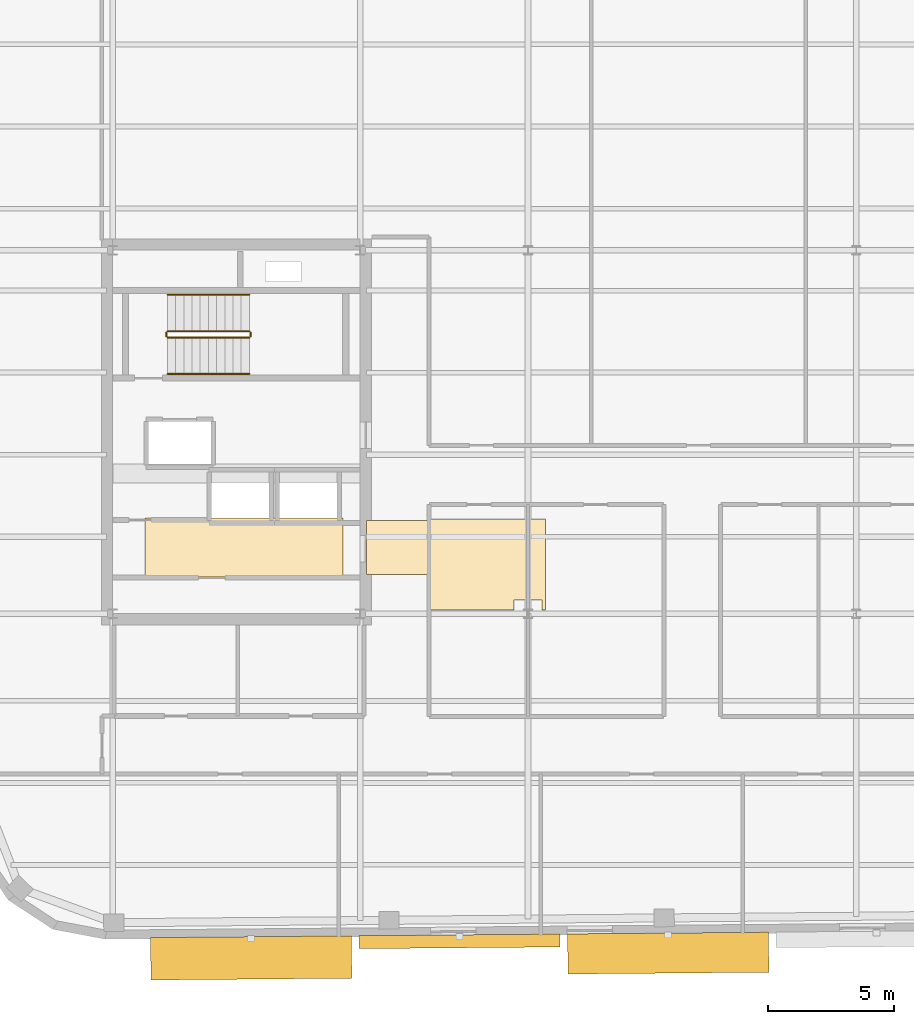
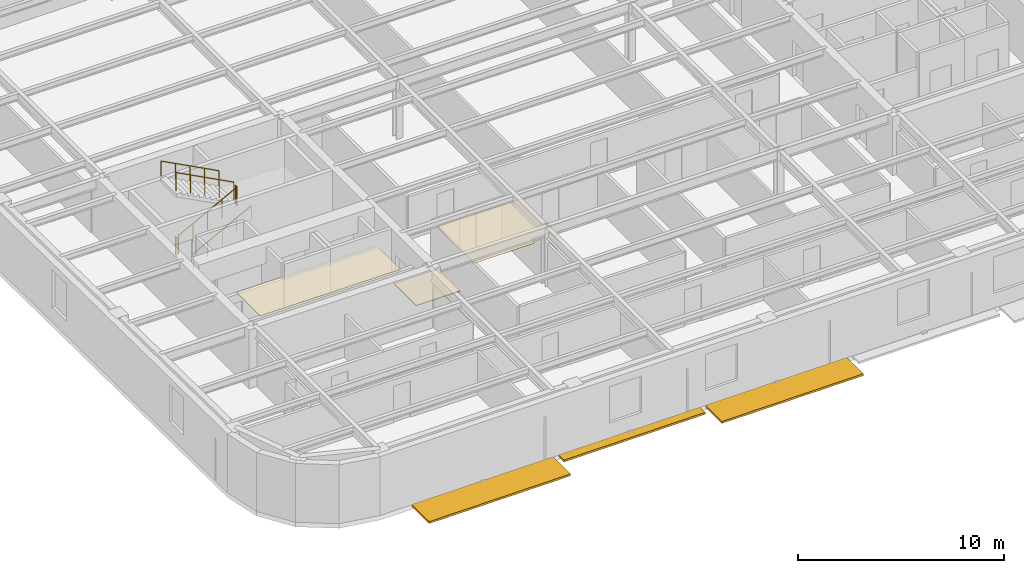
# One storey, part 11 of 13: 6 railings, 3 coverings, 3 shading devices.
"""IFC4 building model written with IfcOpenShell, lengths in metres."""

from ifc_helpers import new_model, si_unit, direction, frame, origin, origin_2d, place, context, subcontext, project, spatial, polyline, rectangle, circle, outline, extrude, material, layer, layer_set, type_object, element, save


model = new_model("IFC4")

# Units and contexts
model_context = context("Model", 3, precision=1e-05, world=origin(), true_north=direction((0.0, 1.0)))
body_context = subcontext(model_context, "Body", "Model", "MODEL_VIEW")
ifc_project = project(units=[si_unit("LENGTHUNIT", "METRE"), si_unit("AREAUNIT", "SQUARE_METRE"), si_unit("VOLUMEUNIT", "CUBIC_METRE"), si_unit("PLANEANGLEUNIT", "RADIAN"), si_unit("MASSUNIT", "GRAM", prefix="KILO")], contexts=[model_context])

# Site, building, storey
site_placement = place(None, origin())
site = spatial("IfcSite", under=ifc_project, at=site_placement, CompositionType="ELEMENT")
building_placement = place(site_placement, origin())
building = spatial("IfcBuilding", under=site, at=building_placement, Name="Kolvaren Arena Tower", CompositionType="ELEMENT")
storey_placement = place(building_placement, frame((0.0, 0.0, 286.14990234375)))
storey = spatial("IfcBuildingStorey", under=building, at=storey_placement, Name="L70", CompositionType="ELEMENT", Elevation=286.14990234375)

# Coverings
ifc_material_1 = material(Name="Mineral fibre acoustic ceiling tile", Category="gypsum")
ifc_layer_1 = layer(ifc_material_1, 0.02490234375)
ifc_layer_set_1 = layer_set([ifc_layer_1], Name="Mineral fibre acoustic ceiling tile")
covering_type_1 = type_object("IfcCoveringType", Name="CEIL-ACT-1", PredefinedType="CEILING", material=ifc_layer_set_1)
covering_1_placement = place(storey_placement, frame((0.0, 0.0, 2.52001953125)))
element("IfcCovering", 1, at=covering_1_placement, inside=storey, type_object=covering_type_1, Name="Suspended Ceiling (L70)", PredefinedType="CEILING", context=body_context, shape_type="SweptSolid", body=[
    extrude(outline(polyline([(27.050048828125, 19.60009765625), (27.050048828125, 23.199951171875), (31.699951171875, 23.199951171875), (31.699951171875, 19.60009765625), (31.550048828125, 19.60009765625), (31.550048828125, 20.0), (30.449951171875, 20.0), (30.449951171875, 19.60009765625), (27.050048828125, 19.60009765625)])), origin(), (0.0, 0.0, 1.0), 0.025146484375),
])
ifc_material_2 = material(Name="Moisture-resistant gypsum ceiling", Category="gypsum")
ifc_layer_2 = layer(ifc_material_2, 0.030029296875)
ifc_layer_set_2 = layer_set([ifc_layer_2], Name="Moisture-resistant gypsum ceiling")
covering_type_2 = type_object("IfcCoveringType", Name="CEIL-GYP-1", PredefinedType="CEILING", material=ifc_layer_set_2)
covering_2_placement = place(storey_placement, frame((0.0, 0.0, 2.52001953125)))
element("IfcCovering", 2, at=covering_2_placement, inside=storey, type_object=covering_type_2, Name="Suspended Ceiling (L70)", PredefinedType="CEILING", context=body_context, shape_type="SweptSolid", body=[
    extrude(outline(polyline([(15.820068359375, 20.89990234375), (15.820068359375, 23.239990234375), (23.679931640625, 23.239990234375), (23.679931640625, 20.89990234375), (15.820068359375, 20.89990234375)])), origin(), (0.0, 0.0, 1.0), 0.030029296875),
])
ifc_material_3 = material(Name="Raised access office floor finish", Category="aluminium")
ifc_layer_3 = layer(ifc_material_3, 0.044921875)
ifc_layer_set_3 = layer_set([ifc_layer_3], Name="Raised access office floor finish")
covering_type_3 = type_object("IfcCoveringType", Name="FLOR-RAF-1", PredefinedType="FLOORING", material=ifc_layer_set_3)
covering_3_placement = place(storey_placement, origin())
element("IfcCovering", 3, at=covering_3_placement, inside=storey, type_object=covering_type_3, Name="Floor Finish (L70)", PredefinedType="FLOORING", context=body_context, shape_type="SweptSolid", body=[
    extrude(outline(polyline([(24.60009765625, 21.0), (24.60009765625, 23.14990234375), (27.080078125, 23.14990234375), (27.080078125, 21.0), (24.60009765625, 21.0)])), origin(), (0.0, 0.0, 1.0), 0.045166015625),
])

# Railings
ifc_material_4 = material(Name="Painted galvanized steel", Category="steel")
railing_type_1 = type_object("IfcRailingType", Name="GUARD-ST-110", PredefinedType="GUARDRAIL", material=ifc_material_4)
railing_1_placement = place(storey_placement, frame((16.719970703125, 30.389892578125, 0.170654296875)))
element("IfcRailing", 4, at=railing_1_placement, inside=storey, type_object=railing_type_1, Name="L70 ST-W1 stair guard 1", PredefinedType="GUARDRAIL", context=body_context, shape_type="SweptSolid", body=[
    extrude(circle(Radius=0.02392578125, at=origin_2d()), frame((0.0, 0.0, 1.076171875), z_axis=(0.885020909582, 0.0, 0.465551274945), x_axis=(0.0, 1.0, 0.0)), (0.0, 0.0, 1.0), 3.660888671875),
    extrude(circle(Radius=0.02099609375, at=origin_2d()), origin(), (0.0, 0.0, 1.0), 1.052001953125),
    extrude(circle(Radius=0.02099609375, at=origin_2d()), frame((0.81005859375, 0.0, 0.426025390625)), (0.0, 0.0, 1.0), 1.052001953125),
    extrude(circle(Radius=0.02099609375, at=origin_2d()), frame((1.6201171875, 0.0, 0.85205078125)), (0.0, 0.0, 1.0), 1.052001953125),
    extrude(circle(Radius=0.02099609375, at=origin_2d()), frame((2.429931640625, 0.0, 1.2783203125)), (0.0, 0.0, 1.0), 1.052001953125),
    extrude(circle(Radius=0.02099609375, at=origin_2d()), frame((3.239990234375, 0.0, 1.704345703125)), (0.0, 0.0, 1.0), 1.052001953125),
])
railing_2_placement = place(storey_placement, frame((20.010009765625, 30.43994140625, 1.875)))
element("IfcRailing", 5, at=railing_2_placement, inside=storey, type_object=railing_type_1, Name="L70 ST-W1 stair guard 2", PredefinedType="GUARDRAIL", context=body_context, shape_type="SweptSolid", body=[
    extrude(circle(Radius=0.02392578125, at=origin_2d()), frame((0.0, 0.0, 1.076171875), z_axis=(0.0, 1.0, 0.0), x_axis=(-1.0, 0.0, 0.0)), (0.0, 0.0, 1.0), 0.150146484375),
    extrude(circle(Radius=0.02099609375, at=origin_2d()), origin(), (0.0, 0.0, 1.0), 1.052001953125),
    extrude(circle(Radius=0.02099609375, at=origin_2d()), frame((0.0, 0.150146484375, 0.0)), (0.0, 0.0, 1.0), 1.052001953125),
])
railing_3_placement = place(storey_placement, frame((19.9599609375, 30.639892578125, 2.045654296875)))
element("IfcRailing", 6, at=railing_3_placement, inside=storey, type_object=railing_type_1, Name="L70 ST-W1 stair guard 3", PredefinedType="GUARDRAIL", context=body_context, shape_type="SweptSolid", body=[
    extrude(circle(Radius=0.02392578125, at=origin_2d()), frame((0.0, 0.0, 1.076171875), z_axis=(-0.885020909582, 0.0, 0.465551274945), x_axis=(0.0, -1.0, 0.0)), (0.0, 0.0, 1.0), 3.660888671875),
    extrude(circle(Radius=0.02099609375, at=origin_2d()), origin(), (0.0, 0.0, 1.0), 1.052001953125),
    extrude(circle(Radius=0.02099609375, at=origin_2d()), frame((-0.81005859375, 0.0, 0.426025390625)), (0.0, 0.0, 1.0), 1.052001953125),
    extrude(circle(Radius=0.02099609375, at=origin_2d()), frame((-1.6201171875, 0.0, 0.85205078125)), (0.0, 0.0, 1.0), 1.052001953125),
    extrude(circle(Radius=0.02099609375, at=origin_2d()), frame((-2.429931640625, 0.0, 1.2783203125)), (0.0, 0.0, 1.0), 1.052001953125),
    extrude(circle(Radius=0.02099609375, at=origin_2d()), frame((-3.239990234375, 0.0, 1.704345703125)), (0.0, 0.0, 1.0), 1.052001953125),
])
railing_4_placement = place(storey_placement, frame((16.669921875, 30.43994140625, 0.0)))
element("IfcRailing", 7, at=railing_4_placement, inside=storey, type_object=railing_type_1, Name="L70 ST-W1 stair guard 4", PredefinedType="GUARDRAIL", context=body_context, shape_type="SweptSolid", body=[
    extrude(circle(Radius=0.02392578125, at=origin_2d()), frame((0.0, 0.0, 1.076171875), z_axis=(0.0, 1.0, 0.0), x_axis=(-1.0, 0.0, 0.0)), (0.0, 0.0, 1.0), 0.150146484375),
    extrude(circle(Radius=0.02099609375, at=origin_2d()), origin(), (0.0, 0.0, 1.0), 1.052001953125),
    extrude(circle(Radius=0.02099609375, at=origin_2d()), frame((0.0, 0.150146484375, 0.0)), (0.0, 0.0, 1.0), 1.052001953125),
])
ifc_material_5 = material(Name="Brushed stainless steel handrail", Category="steel")
railing_type_2 = type_object("IfcRailingType", Name="HRAIL-900", PredefinedType="HANDRAIL", material=ifc_material_5)
railing_5_placement = place(storey_placement, frame((16.719970703125, 28.949951171875, 0.170654296875)))
element("IfcRailing", 8, at=railing_5_placement, inside=storey, type_object=railing_type_2, Name="L70 ST-W1 stair handrail 1", PredefinedType="HANDRAIL", context=body_context, shape_type="SweptSolid", body=[
    extrude(circle(Radius=0.02392578125, at=origin_2d()), frame((0.0, 0.0, 0.8759765625), z_axis=(0.885020909582, 0.0, 0.465551274945), x_axis=(0.0, 1.0, 0.0)), (0.0, 0.0, 1.0), 3.660888671875),
    extrude(circle(Radius=0.02099609375, at=origin_2d()), origin(), (0.0, 0.0, 1.0), 0.851806640625),
    extrude(circle(Radius=0.02099609375, at=origin_2d()), frame((0.81005859375, 0.0, 0.426025390625)), (0.0, 0.0, 1.0), 0.851806640625),
    extrude(circle(Radius=0.02099609375, at=origin_2d()), frame((1.6201171875, 0.0, 0.85205078125)), (0.0, 0.0, 1.0), 0.851806640625),
    extrude(circle(Radius=0.02099609375, at=origin_2d()), frame((2.429931640625, 0.0, 1.2783203125)), (0.0, 0.0, 1.0), 0.851806640625),
    extrude(circle(Radius=0.02099609375, at=origin_2d()), frame((3.239990234375, 0.0, 1.704345703125)), (0.0, 0.0, 1.0), 0.851806640625),
])
railing_6_placement = place(storey_placement, frame((19.9599609375, 32.080078125, 2.045654296875)))
element("IfcRailing", 9, at=railing_6_placement, inside=storey, type_object=railing_type_2, Name="L70 ST-W1 stair handrail 2", PredefinedType="HANDRAIL", context=body_context, shape_type="SweptSolid", body=[
    extrude(circle(Radius=0.02392578125, at=origin_2d()), frame((0.0, 0.0, 0.8759765625), z_axis=(-0.885020909582, 0.0, 0.465551274945), x_axis=(0.0, -1.0, 0.0)), (0.0, 0.0, 1.0), 3.660888671875),
    extrude(circle(Radius=0.02099609375, at=origin_2d()), origin(), (0.0, 0.0, 1.0), 0.851806640625),
    extrude(circle(Radius=0.02099609375, at=origin_2d()), frame((-0.81005859375, 0.0, 0.426025390625)), (0.0, 0.0, 1.0), 0.851806640625),
    extrude(circle(Radius=0.02099609375, at=origin_2d()), frame((-1.6201171875, 0.0, 0.85205078125)), (0.0, 0.0, 1.0), 0.851806640625),
    extrude(circle(Radius=0.02099609375, at=origin_2d()), frame((-2.429931640625, 0.0, 1.2783203125)), (0.0, 0.0, 1.0), 0.851806640625),
    extrude(circle(Radius=0.02099609375, at=origin_2d()), frame((-3.239990234375, 0.0, 1.704345703125)), (0.0, 0.0, 1.0), 0.851806640625),
])

# Shading devices
ifc_material_6 = material(Name="Architectural precast GFRC and anodised aluminium sunshade", Category="concrete")
shading_device_type_1 = type_object("IfcShadingDeviceType", Name="SHAD-SINE-A", PredefinedType="USERDEFINED", material=ifc_material_6)
shading_device_1_placement = place(storey_placement, frame((28.288818359375, 6.4736328125, -0.139892578125), z_axis=(0.0, 0.0, 1.0), x_axis=(-0.999961923064, -0.008726535498, 0.0)))
element("IfcShadingDevice", 10, at=shading_device_1_placement, inside=storey, type_object=shading_device_type_1, Name="Sinusoidal Slab-Edge Sunshade Louvre (L70)", ObjectType="LOUVRE", PredefinedType="USERDEFINED", context=body_context, shape_type="SweptSolid", body=[
    extrude(rectangle(XDim=7.9599609375, YDim=0.5126953125, at=origin_2d()), origin(), (0.0, 0.0, 1.0), 0.1201171875),
])
shading_device_type_2 = type_object("IfcShadingDeviceType", Name="SHAD-SINE-B", PredefinedType="JALOUSIE", material=ifc_material_6)
shading_device_2_placement = place(storey_placement, frame((36.55322265625, 6.00830078125, -0.139892578125), z_axis=(0.0, 0.0, 1.0), x_axis=(-0.999961923064, -0.008726535498, 0.0)))
element("IfcShadingDevice", 11, at=shading_device_2_placement, inside=storey, type_object=shading_device_type_2, Name="Sinusoidal Slab-Edge Sunshade Louvre (L70)", PredefinedType="JALOUSIE", context=body_context, shape_type="SweptSolid", body=[
    extrude(rectangle(XDim=7.9599609375, YDim=1.587646484375, at=origin_2d()), origin(), (0.0, 0.0, 1.0), 0.1201171875),
])
shading_device_3_placement = place(storey_placement, frame((20.0341796875, 5.817626953125, -0.139892578125), z_axis=(0.0, 0.0, 1.0), x_axis=(-0.999961923064, -0.008726535498, 0.0)))
element("IfcShadingDevice", 12, at=shading_device_3_placement, inside=storey, type_object=shading_device_type_2, Name="Sinusoidal Slab-Edge Sunshade Louvre (L70)", PredefinedType="JALOUSIE", context=body_context, shape_type="SweptSolid", body=[
    extrude(rectangle(XDim=7.9599609375, YDim=1.680908203125, at=origin_2d()), origin(), (0.0, 0.0, 1.0), 0.1201171875),
])

save(model, "model.ifc")
